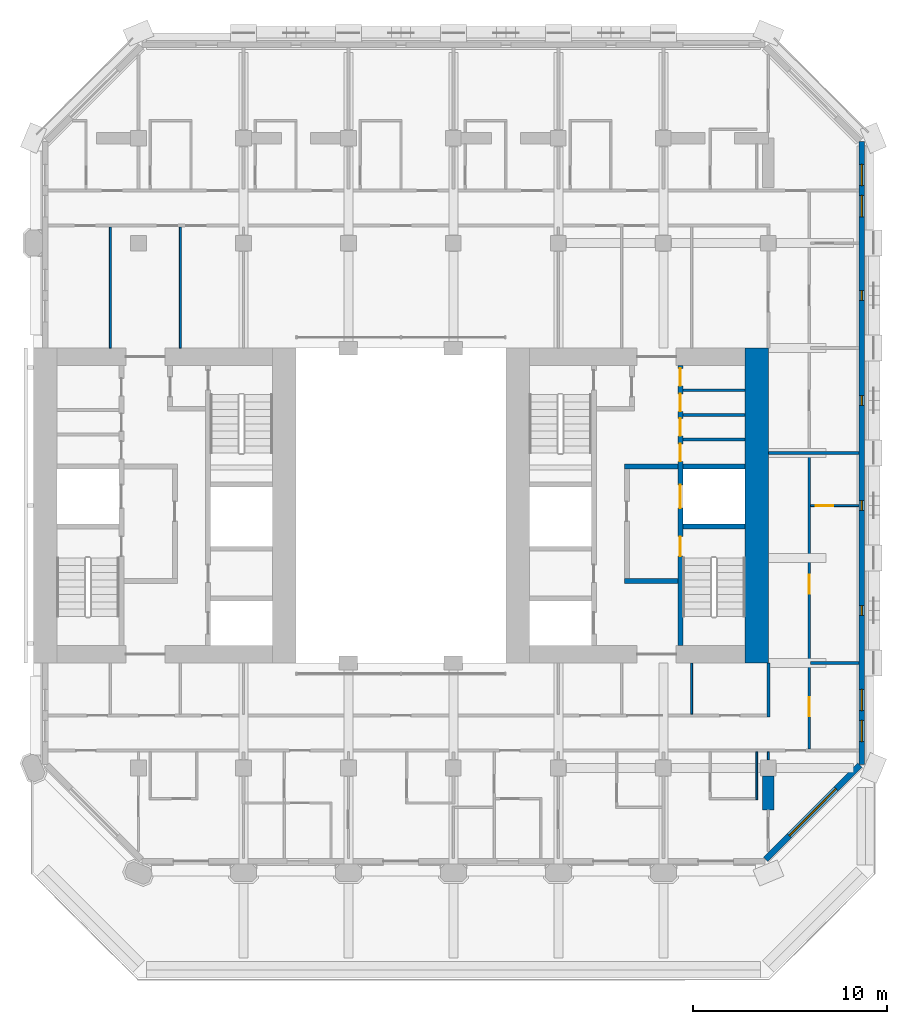
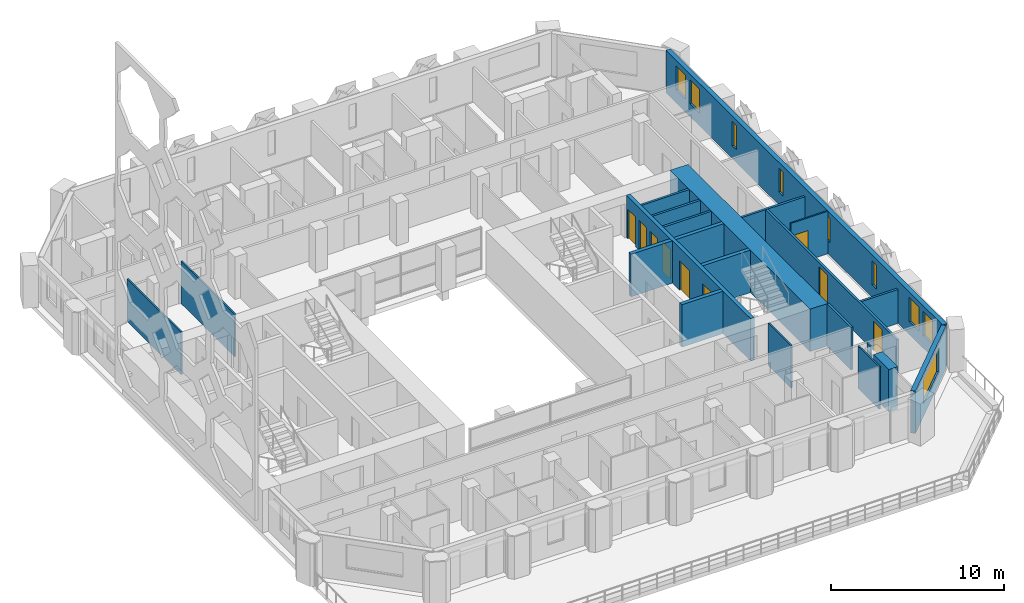
# One storey, part 11 of 17: 22 walls, 9 doors, 9 windows, 18 openings.
"""IFC4 building model written with IfcOpenShell, lengths in metres."""

from ifc_helpers import new_model, si_unit, direction, frame, frame_2d, origin, place, context, subcontext, project, spatial, rectangle, extrude, material, layer, layer_set, type_object, element, fill, save


model = new_model("IFC4")

# Units and contexts
model_context = context("Model", 3, precision=1e-05, world=origin(), true_north=direction((0.0, 1.0)))
body_context = subcontext(model_context, "Body", "Model", "MODEL_VIEW")
ifc_project = project(units=[si_unit("LENGTHUNIT", "METRE"), si_unit("AREAUNIT", "SQUARE_METRE"), si_unit("VOLUMEUNIT", "CUBIC_METRE"), si_unit("PLANEANGLEUNIT", "RADIAN"), si_unit("MASSUNIT", "GRAM", prefix="KILO")], contexts=[model_context])

# Site, building, storey
site_placement = place(None, origin())
site = spatial("IfcSite", under=ifc_project, at=site_placement, CompositionType="ELEMENT")
building_placement = place(site_placement, origin())
building = spatial("IfcBuilding", under=site, at=building_placement, Name="Tabaq Tower and Sports Hall", CompositionType="ELEMENT")
storey_placement = place(building_placement, frame((0.0, 0.0, 180.699951171875)))
storey = spatial("IfcBuildingStorey", under=building, at=storey_placement, Name="L43", CompositionType="ELEMENT", Elevation=180.699951171875)

# Walls
ifc_material_1 = material(Name="Blockwork", Category="masonry")
ifc_layer_1 = layer(ifc_material_1, 0.14990234375)
ifc_layer_set_1 = layer_set([ifc_layer_1], Name="Core room partition 150 Blockwork")
wall_type_1 = type_object("IfcWallType", Name="Core room partition 150 Blockwork", PredefinedType="PARTITIONING", material=ifc_layer_set_1)
for number, where, z_axis, x_axis, name in (
    (1, (38.800048828125, 27.694091796875, 0.0), (0.0, 0.0, 1.0), (1.0, 0.0, 0.0), "Core room partition E L43"),
    (2, (38.800048828125, 28.962890625, 0.0), (0.0, 0.0, 1.0), (1.0, 0.0, 0.0), "Core room partition E L43"),
    (3, (38.800048828125, 30.23193359375, 0.0), (0.0, 0.0, 1.0), (1.0, 0.0, 0.0), "Core room partition E L43"),
):
    element("IfcWall", number, at=place(storey_placement, frame(where, z_axis=z_axis, x_axis=x_axis)), inside=storey, type_object=wall_type_1, Name=name, PredefinedType="PARTITIONING", context=body_context, shape_type="SweptSolid", body=[
        extrude(rectangle(XDim=3.199951171875, YDim=0.14990234375, at=frame_2d((1.60009765625, 0.0))), origin(), (0.0, 0.0, 1.0), 3.0),
    ])
ifc_material_2 = material(Name="Concrete C50/60", Category="concrete")
ifc_layer_2 = layer(ifc_material_2, 1.199951171875)
ifc_layer_set_2 = layer_set([ifc_layer_2], Name="Core wall 1200 Concrete C50/60")
wall_type_2 = type_object("IfcWallType", Name="Core wall 1200 Concrete C50/60", PredefinedType="SOLIDWALL", material=ifc_layer_set_2)
wall_1_placement = place(storey_placement, frame((42.60009765625, 32.39990234375, 0.0), z_axis=(0.0, 0.0, 1.0), x_axis=(0.0, -1.0, 0.0)))
element("IfcWall", 4, at=wall_1_placement, inside=storey, type_object=wall_type_2, Name="Core wall E L43", PredefinedType="SOLIDWALL", context=body_context, shape_type="SweptSolid", body=[
    extrude(rectangle(XDim=16.199951171875, YDim=1.199951171875, at=frame_2d((8.10009765625, 0.0))), origin(), (0.0, 0.0, 1.0), 3.0),
])
ifc_material_3 = material(Name="Gypsum board on steel studs", Category="steel")
ifc_layer_3 = layer(ifc_material_3, 0.10009765625)
ifc_layer_set_3 = layer_set([ifc_layer_3], Name="Partition 100 Gypsum board")
wall_type_3 = type_object("IfcWallType", Name="Partition 100 Gypsum board", PredefinedType="PARTITIONING", material=ifc_layer_set_3)
for number, where, z_axis, x_axis, name in (
    (5, (12.949951171875, 32.39990234375, 0.0), (0.0, 0.0, 1.0), (0.0, 1.0, 0.0), "Partition wall L43"),
    (6, (9.35009765625, 38.625, 0.0), (0.0, 0.0, 1.0), (0.0, -1.0, 0.0), "Partition wall L43"),
):
    element("IfcWall", number, at=place(storey_placement, frame(where, z_axis=z_axis, x_axis=x_axis)), inside=storey, type_object=wall_type_3, Name=name, PredefinedType="PARTITIONING", context=body_context, shape_type="SweptSolid", body=[
        extrude(rectangle(XDim=6.22509765625, YDim=0.10009765625, at=frame_2d((3.112548828125, 0.0))), origin(), (0.0, 0.0, 1.0), 3.0),
    ])
wall_2_placement = place(storey_placement, frame((43.199951171875, 11.219970703125, 0.0), z_axis=(0.0, 0.0, 1.0), x_axis=(0.0, 1.0, 0.0)))
element("IfcWall", 7, at=wall_2_placement, inside=storey, type_object=wall_type_3, Name="Partition wall L43", PredefinedType="PARTITIONING", context=body_context, shape_type="SweptSolid", body=[
    extrude(rectangle(XDim=0.405029296875, YDim=0.10009765625, at=frame_2d((0.20263671875, 0.0))), origin(), (0.0, 0.0, 1.0), 3.0),
])
wall_3_placement = place(storey_placement, frame((42.60009765625, 11.625, 0.0), z_axis=(0.0, 0.0, 1.0), x_axis=(0.0, -1.0, 0.0)))
element("IfcWall", 8, at=wall_3_placement, inside=storey, type_object=wall_type_3, Name="Partition wall L43", PredefinedType="PARTITIONING", context=body_context, shape_type="SweptSolid", body=[
    extrude(rectangle(XDim=2.449951171875, YDim=0.10009765625, at=frame_2d((1.22509765625, 0.0))), origin(), (0.0, 0.0, 1.0), 3.0),
])

# Wall, opening, door
wall_4_placement = place(storey_placement, frame((47.84912109375, 24.300048828125, 0.0), z_axis=(0.0, 0.0, 1.0), x_axis=(-1.0, 0.0, 0.0)))
wall_4 = element("IfcWall", 9, at=wall_4_placement, inside=storey, type_object=wall_type_3, Name="Partition wall L43", PredefinedType="PARTITIONING", context=body_context, shape_type="SweptSolid", body=[
    extrude(rectangle(XDim=2.47412109375, YDim=0.10009765625, at=frame_2d((1.237060546875, 0.0))), origin(), (0.0, 0.0, 1.0), 3.0),
])
opening_1_placement = place(wall_4_placement, frame((1.323974609375, 0.0, 0.0)))
opening_1 = element("IfcOpeningElement", 10, at=opening_1_placement, cuts=wall_4, Name="Opening L43-025", PredefinedType="OPENING", context=body_context, shape_type="SweptSolid", body=[
    extrude(rectangle(XDim=0.89990234375, YDim=2.10009765625, at=frame_2d((0.449951171875, 1.050048828125))), frame((0.0, 0.050048828125, 0.0), z_axis=(0.0, -1.0, 0.0), x_axis=(1.0, 0.0, 0.0)), (0.0, 0.0, 1.0), 0.10009765625),
])
ifc_material_4 = material(Name="Timber leaf in steel frame", Category="steel")
door_type_1 = type_object("IfcDoorType", Name="Internal door 900 right hand", OperationType="SINGLE_SWING_RIGHT", PredefinedType="DOOR", material=ifc_material_4)
door_1_placement = place(opening_1_placement, origin())
door_1 = element("IfcDoor", 11, at=door_1_placement, inside=storey, type_object=door_type_1, Name="Internal door L43-025", OperationType="SINGLE_SWING_RIGHT", OverallHeight=2.10009765625, OverallWidth=0.89990234375, PredefinedType="DOOR", context=body_context, shape_type="SweptSolid", body=[
    extrude(rectangle(XDim=0.89990234375, YDim=2.10009765625, at=frame_2d((0.449951171875, 1.050048828125))), frame((0.0, 0.02490234375, 0.0), z_axis=(0.0, -1.0, 0.0), x_axis=(1.0, 0.0, 0.0)), (0.0, 0.0, 1.0), 0.050048828125),
])
fill(opening_1, door_1)

# Walls
wall_5_placement = place(storey_placement, frame((39.25, 13.574951171875, 0.0), z_axis=(0.0, 0.0, 1.0), x_axis=(0.0, 1.0, 0.0)))
element("IfcWall", 12, at=wall_5_placement, inside=storey, type_object=wall_type_3, Name="Partition wall L43", PredefinedType="PARTITIONING", context=body_context, shape_type="SweptSolid", body=[
    extrude(rectangle(XDim=2.625, YDim=0.10009765625, at=frame_2d((1.3125, 0.0))), origin(), (0.0, 0.0, 1.0), 3.0),
])
ifc_material_5 = material(Name="Concrete C50/60", Category="concrete")
ifc_layer_4 = layer(ifc_material_5, 0.60009765625)
ifc_layer_set_4 = layer_set([ifc_layer_4], Name="RC TRANSFER WALL 600 C50/60")
wall_type_4 = type_object("IfcWallType", Name="RC TRANSFER WALL 600 C50/60", PredefinedType="SHEAR", material=ifc_layer_set_4)
wall_6_placement = place(storey_placement, frame((43.199951171875, 8.64990234375, 0.0), z_axis=(0.0, 0.0, 1.0), x_axis=(0.0, 1.0, 0.0)))
element("IfcWall", 13, at=wall_6_placement, inside=storey, type_object=wall_type_4, Name="Transfer Wall L43 East 2", PredefinedType="SHEAR", context=body_context, shape_type="SweptSolid", body=[
    extrude(rectangle(XDim=1.75, YDim=0.60009765625, at=frame_2d((0.875, 0.0))), origin(), (0.0, 0.0, 1.0), 3.0),
])
ifc_material_6 = material(Name="Blockwork", Category="masonry")
ifc_layer_5 = layer(ifc_material_6, 0.14990234375)
ifc_layer_set_5 = layer_set([ifc_layer_5], Name="Separating wall 150 Blockwork")
wall_type_5 = type_object("IfcWallType", Name="Separating wall 150 Blockwork", PredefinedType="PARTITIONING", material=ifc_layer_set_5)
wall_7_placement = place(storey_placement, frame((43.199951171875, 27.0, 0.0), z_axis=(0.0, 0.0, 1.0), x_axis=(1.0, 0.0, 0.0)))
element("IfcWall", 14, at=wall_7_placement, inside=storey, type_object=wall_type_5, Name="Separating wall L43", PredefinedType="PARTITIONING", context=body_context, shape_type="SweptSolid", body=[
    extrude(rectangle(XDim=4.649169921875, YDim=0.14990234375, at=frame_2d((2.32470703125, 0.0))), origin(), (0.0, 0.0, 1.0), 2.400146484375),
])
wall_8_placement = place(storey_placement, frame((47.84912109375, 16.199951171875, 0.0), z_axis=(0.0, 0.0, 1.0), x_axis=(-1.0, 0.0, 0.0)))
element("IfcWall", 15, at=wall_8_placement, inside=storey, type_object=wall_type_5, Name="Separating wall L43", PredefinedType="PARTITIONING", context=body_context, shape_type="SweptSolid", body=[
    extrude(rectangle(XDim=2.47412109375, YDim=0.14990234375, at=frame_2d((1.237060546875, 0.0))), origin(), (0.0, 0.0, 1.0), 2.400146484375),
])

# Wall, openings, doors
wall_9_placement = place(storey_placement, frame((45.300048828125, 26.925048828125, 0.0), z_axis=(0.0, 0.0, 1.0), x_axis=(0.0, -1.0, 0.0)))
wall_9 = element("IfcWall", 16, at=wall_9_placement, inside=storey, type_object=wall_type_5, Name="Separating wall L43", PredefinedType="PARTITIONING", context=body_context, shape_type="SweptSolid", body=[
    extrude(rectangle(XDim=15.150146484375, YDim=0.14990234375, at=frame_2d((7.5751953125, 0.0))), origin(), (0.0, 0.0, 1.0), 2.400146484375),
])
opening_2_placement = place(wall_9_placement, frame((12.47509765625, 0.0, 0.0)))
opening_2 = element("IfcOpeningElement", 17, at=opening_2_placement, cuts=wall_9, Name="Opening L43-015", PredefinedType="OPENING", context=body_context, shape_type="SweptSolid", body=[
    extrude(rectangle(XDim=1.0, YDim=2.10009765625, at=frame_2d((0.5, 1.050048828125))), frame((0.0, 0.074951171875, 0.0), z_axis=(0.0, -1.0, 0.0), x_axis=(1.0, 0.0, 0.0)), (0.0, 0.0, 1.0), 0.14990234375),
])
opening_3_placement = place(wall_9_placement, frame((6.175048828125, 0.0, 0.0)))
opening_3 = element("IfcOpeningElement", 18, at=opening_3_placement, cuts=wall_9, Name="Opening L43-045", PredefinedType="OPENING", context=body_context, shape_type="SweptSolid", body=[
    extrude(rectangle(XDim=1.0, YDim=2.10009765625, at=frame_2d((0.5, 1.050048828125))), frame((0.0, 0.074951171875, 0.0), z_axis=(0.0, -1.0, 0.0), x_axis=(1.0, 0.0, 0.0)), (0.0, 0.0, 1.0), 0.14990234375),
])
ifc_material_7 = material(Name="Steel fire door", Category="steel")
door_type_2 = type_object("IfcDoorType", Name="Entrance door 1000 left hand", OperationType="SINGLE_SWING_LEFT", PredefinedType="DOOR", material=ifc_material_7)
door_2_placement = place(opening_3_placement, origin())
door_2 = element("IfcDoor", 19, at=door_2_placement, inside=storey, type_object=door_type_2, Name="Entrance door L43-045", OperationType="SINGLE_SWING_LEFT", OverallHeight=2.10009765625, OverallWidth=1.0, PredefinedType="DOOR", context=body_context, shape_type="SweptSolid", body=[
    extrude(rectangle(XDim=1.0, YDim=2.10009765625, at=frame_2d((0.5, 1.050048828125))), frame((0.0, 0.02490234375, 0.0), z_axis=(0.0, -1.0, 0.0), x_axis=(1.0, 0.0, 0.0)), (0.0, 0.0, 1.0), 0.050048828125),
])
fill(opening_3, door_2)
ifc_material_8 = material(Name="Timber leaf in steel frame", Category="steel")
door_type_3 = type_object("IfcDoorType", Name="Internal door 1000 left hand", OperationType="SINGLE_SWING_LEFT", PredefinedType="DOOR", material=ifc_material_8)
door_3_placement = place(opening_2_placement, origin())
door_3 = element("IfcDoor", 20, at=door_3_placement, inside=storey, type_object=door_type_3, Name="Internal door L43-015", OperationType="SINGLE_SWING_LEFT", OverallHeight=2.10009765625, OverallWidth=1.0, PredefinedType="DOOR", context=body_context, shape_type="SweptSolid", body=[
    extrude(rectangle(XDim=1.0, YDim=2.10009765625, at=frame_2d((0.5, 1.050048828125))), frame((0.0, 0.02490234375, 0.0), z_axis=(0.0, -1.0, 0.0), x_axis=(1.0, 0.0, 0.0)), (0.0, 0.0, 1.0), 0.050048828125),
])
fill(opening_2, door_3)

# Wall
wall_10_placement = place(storey_placement, frame((43.199951171875, 16.199951171875, 0.0), z_axis=(0.0, 0.0, 1.0), x_axis=(0.0, -1.0, 0.0)))
element("IfcWall", 21, at=wall_10_placement, inside=storey, type_object=wall_type_5, Name="Separating wall L43", PredefinedType="PARTITIONING", context=body_context, shape_type="SweptSolid", body=[
    extrude(rectangle(XDim=2.77490234375, YDim=0.14990234375, at=frame_2d((1.387451171875, 0.0))), origin(), (0.0, 0.0, 1.0), 3.0),
])

# Wall, openings, doors
ifc_material_9 = material(Name="Concrete C40/50", Category="concrete")
ifc_layer_6 = layer(ifc_material_9, 0.25)
ifc_layer_set_6 = layer_set([ifc_layer_6], Name="Shaft and stair wall 250 Concrete C40/50")
wall_type_6 = type_object("IfcWallType", Name="Shaft and stair wall 250 Concrete C40/50", PredefinedType="SOLIDWALL", material=ifc_layer_set_6)
wall_11_placement = place(storey_placement, frame((38.675048828125, 17.10009765625, 0.0), z_axis=(0.0, 0.0, 1.0), x_axis=(0.0, 1.0, 0.0)))
wall_11 = element("IfcWall", 22, at=wall_11_placement, inside=storey, type_object=wall_type_6, Name="Shaft wall E L43", PredefinedType="SOLIDWALL", context=body_context, shape_type="SweptSolid", body=[
    extrude(rectangle(XDim=14.39990234375, YDim=0.25, at=frame_2d((7.199951171875, 0.0))), origin(), (0.0, 0.0, 1.0), 3.0),
])
opening_4_placement = place(wall_11_placement, frame((4.60009765625, 0.0, 0.0)))
opening_4 = element("IfcOpeningElement", 23, at=opening_4_placement, cuts=wall_11, Name="Opening SD-EL43-03", PredefinedType="OPENING", context=body_context, shape_type="SweptSolid", body=[
    extrude(rectangle(XDim=1.0, YDim=2.10009765625, at=frame_2d((0.5, 1.050048828125))), frame((0.0, 0.125, 0.0), z_axis=(0.0, -1.0, 0.0), x_axis=(1.0, 0.0, 0.0)), (0.0, 0.0, 1.0), 0.25),
])
opening_5_placement = place(wall_11_placement, frame((7.0625, 0.0, 0.0)))
opening_5 = element("IfcOpeningElement", 24, at=opening_5_placement, cuts=wall_11, Name="Opening LD-FF2-L43", PredefinedType="OPENING", context=body_context, shape_type="SweptSolid", body=[
    extrude(rectangle(XDim=1.199951171875, YDim=2.10009765625, at=frame_2d((0.60009765625, 1.050048828125))), frame((0.0, 0.125, 0.0), z_axis=(0.0, -1.0, 0.0), x_axis=(1.0, 0.0, 0.0)), (0.0, 0.0, 1.0), 0.25),
])
opening_6_placement = place(wall_11_placement, frame((9.471923828125, 0.0, 0.0)))
opening_6 = element("IfcOpeningElement", 25, at=opening_6_placement, cuts=wall_11, Name="Opening RD-EL43-09", PredefinedType="OPENING", context=body_context, shape_type="SweptSolid", body=[
    extrude(rectangle(XDim=0.89990234375, YDim=2.10009765625, at=frame_2d((0.449951171875, 1.050048828125))), frame((0.0, 0.125, 0.0), z_axis=(0.0, -1.0, 0.0), x_axis=(1.0, 0.0, 0.0)), (0.0, 0.0, 1.0), 0.25),
])
opening_7_placement = place(wall_11_placement, frame((10.778564453125, 0.0, 0.0)))
opening_7 = element("IfcOpeningElement", 26, at=opening_7_placement, cuts=wall_11, Name="Opening RD-EL43-10", PredefinedType="OPENING", context=body_context, shape_type="SweptSolid", body=[
    extrude(rectangle(XDim=0.89990234375, YDim=2.10009765625, at=frame_2d((0.449951171875, 1.050048828125))), frame((0.0, 0.125, 0.0), z_axis=(0.0, -1.0, 0.0), x_axis=(1.0, 0.0, 0.0)), (0.0, 0.0, 1.0), 0.25),
])
opening_8_placement = place(wall_11_placement, frame((12.047607421875, 0.0, 0.0)))
opening_8 = element("IfcOpeningElement", 27, at=opening_8_placement, cuts=wall_11, Name="Opening RD-EL43-11", PredefinedType="OPENING", context=body_context, shape_type="SweptSolid", body=[
    extrude(rectangle(XDim=0.89990234375, YDim=2.10009765625, at=frame_2d((0.449951171875, 1.050048828125))), frame((0.0, 0.125, 0.0), z_axis=(0.0, -1.0, 0.0), x_axis=(1.0, 0.0, 0.0)), (0.0, 0.0, 1.0), 0.25),
])
opening_9_placement = place(wall_11_placement, frame((13.353515625, 0.0, 0.0)))
opening_9 = element("IfcOpeningElement", 28, at=opening_9_placement, cuts=wall_11, Name="Opening RD-EL43-12", PredefinedType="OPENING", context=body_context, shape_type="SweptSolid", body=[
    extrude(rectangle(XDim=0.89990234375, YDim=2.10009765625, at=frame_2d((0.449951171875, 1.050048828125))), frame((0.0, 0.125, 0.0), z_axis=(0.0, -1.0, 0.0), x_axis=(1.0, 0.0, 0.0)), (0.0, 0.0, 1.0), 0.25),
])
ifc_material_10 = material(Name="Steel fire door", Category="steel")
door_type_4 = type_object("IfcDoorType", Name="Core room door 900", OperationType="SINGLE_SWING_LEFT", PredefinedType="DOOR", material=ifc_material_10)
door_4_placement = place(opening_6_placement, origin())
door_4 = element("IfcDoor", 29, at=door_4_placement, inside=storey, type_object=door_type_4, Name="Door Cleaner's Store E L43", OperationType="SINGLE_SWING_LEFT", OverallHeight=2.10009765625, OverallWidth=0.89990234375, PredefinedType="DOOR", context=body_context, shape_type="SweptSolid", body=[
    extrude(rectangle(XDim=0.89990234375, YDim=2.10009765625, at=frame_2d((0.449951171875, 1.050048828125))), frame((0.0, 0.02490234375, 0.0), z_axis=(0.0, -1.0, 0.0), x_axis=(1.0, 0.0, 0.0)), (0.0, 0.0, 1.0), 0.050048828125),
])
fill(opening_6, door_4)
door_5_placement = place(opening_7_placement, origin())
door_5 = element("IfcDoor", 30, at=door_5_placement, inside=storey, type_object=door_type_4, Name="Door Gents WC E L43", OperationType="SINGLE_SWING_LEFT", OverallHeight=2.10009765625, OverallWidth=0.89990234375, PredefinedType="DOOR", context=body_context, shape_type="SweptSolid", body=[
    extrude(rectangle(XDim=0.89990234375, YDim=2.10009765625, at=frame_2d((0.449951171875, 1.050048828125))), frame((0.0, 0.02490234375, 0.0), z_axis=(0.0, -1.0, 0.0), x_axis=(1.0, 0.0, 0.0)), (0.0, 0.0, 1.0), 0.050048828125),
])
fill(opening_7, door_5)
door_6_placement = place(opening_8_placement, origin())
door_6 = element("IfcDoor", 31, at=door_6_placement, inside=storey, type_object=door_type_4, Name="Door Ladies WC E L43", OperationType="SINGLE_SWING_LEFT", OverallHeight=2.10009765625, OverallWidth=0.89990234375, PredefinedType="DOOR", context=body_context, shape_type="SweptSolid", body=[
    extrude(rectangle(XDim=0.89990234375, YDim=2.10009765625, at=frame_2d((0.449951171875, 1.050048828125))), frame((0.0, 0.02490234375, 0.0), z_axis=(0.0, -1.0, 0.0), x_axis=(1.0, 0.0, 0.0)), (0.0, 0.0, 1.0), 0.050048828125),
])
fill(opening_8, door_6)
door_7_placement = place(opening_9_placement, origin())
door_7 = element("IfcDoor", 32, at=door_7_placement, inside=storey, type_object=door_type_4, Name="Door Accessible WC E L43", OperationType="SINGLE_SWING_LEFT", OverallHeight=2.10009765625, OverallWidth=0.89990234375, PredefinedType="DOOR", context=body_context, shape_type="SweptSolid", body=[
    extrude(rectangle(XDim=0.89990234375, YDim=2.10009765625, at=frame_2d((0.449951171875, 1.050048828125))), frame((0.0, 0.02490234375, 0.0), z_axis=(0.0, -1.0, 0.0), x_axis=(1.0, 0.0, 0.0)), (0.0, 0.0, 1.0), 0.050048828125),
])
fill(opening_9, door_7)
ifc_material_11 = material(Name="Stainless steel", Category="steel")
door_type_5 = type_object("IfcDoorType", Name="Lift landing door 1200", OperationType="DOUBLE_DOOR_SLIDING", PredefinedType="DOOR", material=ifc_material_11)
door_8_placement = place(opening_5_placement, origin())
door_8 = element("IfcDoor", 33, at=door_8_placement, inside=storey, type_object=door_type_5, Name="Lift landing door FF2 E L43", OperationType="DOUBLE_DOOR_SLIDING", OverallHeight=2.10009765625, OverallWidth=1.199951171875, PredefinedType="DOOR", context=body_context, shape_type="SweptSolid", body=[
    extrude(rectangle(XDim=1.199951171875, YDim=2.10009765625, at=frame_2d((0.60009765625, 1.050048828125))), frame((0.0, 0.02490234375, 0.0), z_axis=(0.0, -1.0, 0.0), x_axis=(1.0, 0.0, 0.0)), (0.0, 0.0, 1.0), 0.050048828125),
])
fill(opening_5, door_8)
ifc_material_12 = material(Name="Steel fire door", Category="steel")
door_type_6 = type_object("IfcDoorType", Name="Stair door 1000", OperationType="SINGLE_SWING_LEFT", PredefinedType="DOOR", material=ifc_material_12)
door_9_placement = place(opening_4_placement, origin())
door_9 = element("IfcDoor", 34, at=door_9_placement, inside=storey, type_object=door_type_6, Name="Stair door ST3 E L43", OperationType="SINGLE_SWING_LEFT", OverallHeight=2.10009765625, OverallWidth=1.0, PredefinedType="DOOR", context=body_context, shape_type="SweptSolid", body=[
    extrude(rectangle(XDim=1.0, YDim=2.10009765625, at=frame_2d((0.5, 1.050048828125))), frame((0.0, 0.02490234375, 0.0), z_axis=(0.0, -1.0, 0.0), x_axis=(1.0, 0.0, 0.0)), (0.0, 0.0, 1.0), 0.050048828125),
])
fill(opening_4, door_9)

# Walls
for number, where, z_axis, x_axis, name in (
    (35, (38.800048828125, 23.22509765625, 0.0), (0.0, 0.0, 1.0), (1.0, 0.0, 0.0), "Stair enclosure wall E L43"),
    (36, (38.800048828125, 26.300048828125, 0.0), (0.0, 0.0, 1.0), (1.0, 0.0, 0.0), "Shaft wall E L43"),
):
    element("IfcWall", number, at=place(storey_placement, frame(where, z_axis=z_axis, x_axis=x_axis)), inside=storey, type_object=wall_type_6, Name=name, PredefinedType="SOLIDWALL", context=body_context, shape_type="SweptSolid", body=[
        extrude(rectangle(XDim=3.199951171875, YDim=0.25, at=frame_2d((1.60009765625, 0.0))), origin(), (0.0, 0.0, 1.0), 3.0),
    ])
for number, where, z_axis, x_axis, name in (
    (37, (35.800048828125, 26.300048828125, 0.0), (0.0, 0.0, 1.0), (1.0, 0.0, 0.0), "Fire-fighting lobby wall E L43"),
    (38, (35.800048828125, 20.425048828125, 0.0), (0.0, 0.0, 1.0), (1.0, 0.0, 0.0), "Fire-fighting lobby wall E L43"),
):
    element("IfcWall", number, at=place(storey_placement, frame(where, z_axis=z_axis, x_axis=x_axis)), inside=storey, type_object=wall_type_6, Name=name, PredefinedType="SOLIDWALL", context=body_context, shape_type="SweptSolid", body=[
        extrude(rectangle(XDim=2.75, YDim=0.25, at=frame_2d((1.375, 0.0))), origin(), (0.0, 0.0, 1.0), 3.0),
    ])

# Wall, opening, window
ifc_material_13 = material(Name="White precast concrete C60/75", Category="concrete")
ifc_layer_7 = layer(ifc_material_13, 0.300048828125)
ifc_layer_set_7 = layer_set([ifc_layer_7], Name="White precast concrete C60/75 external wall 300")
wall_type_7 = type_object("IfcWallType", Name="White precast concrete C60/75 external wall 300", PredefinedType="SOLIDWALL", material=ifc_layer_set_7)
wall_12_placement = place(storey_placement, frame((43.050537109375, 6.098876953125, 0.0), z_axis=(0.0, 0.0, 1.0), x_axis=(0.707106781187, 0.707106781187, 0.0)))
wall_12 = element("IfcWall", 39, at=wall_12_placement, inside=storey, type_object=wall_type_7, Name="External Wall L43 SE", PredefinedType="SOLIDWALL", context=body_context, shape_type="SweptSolid", body=[
    extrude(rectangle(XDim=6.85986328125, YDim=0.300048828125, at=frame_2d((3.429931640625, 0.0))), origin(), (0.0, 0.0, 1.0), 3.0),
])
opening_10_placement = place(wall_12_placement, frame((1.729736328125, 0.0, 0.89990234375)))
opening_10 = element("IfcOpeningElement", 40, at=opening_10_placement, cuts=wall_12, Name="Opening W1A", PredefinedType="OPENING", context=body_context, shape_type="SweptSolid", body=[
    extrude(rectangle(XDim=3.39990234375, YDim=1.699951171875, at=frame_2d((1.699951171875, 0.85009765625))), frame((0.0, 0.16015625, 0.0), z_axis=(0.0, -1.0, 0.0), x_axis=(1.0, 0.0, 0.0)), (0.0, 0.0, 1.0), 0.320068359375),
])
ifc_material_14 = material(Name="Aluminium framed clear glazing", Category="aluminium")
window_type_1 = type_object("IfcWindowType", Name="Window W1A", PartitioningType="SINGLE_PANEL", PredefinedType="WINDOW", material=ifc_material_14)
window_1_placement = place(opening_10_placement, origin())
window_1 = element("IfcWindow", 41, at=window_1_placement, inside=storey, type_object=window_type_1, Name="Window W1A L43", OverallHeight=1.699951171875, OverallWidth=3.39990234375, PartitioningType="SINGLE_PANEL", PredefinedType="WINDOW", context=body_context, shape_type="SweptSolid", body=[
    extrude(rectangle(XDim=3.39990234375, YDim=1.699951171875, at=frame_2d((1.699951171875, 0.85009765625))), frame((0.0, 0.030029296875, 0.0), z_axis=(0.0, -1.0, 0.0), x_axis=(1.0, 0.0, 0.0)), (0.0, 0.0, 1.0), 0.06005859375),
])
fill(opening_10, window_1)

# Wall, openings, windows
wall_13_placement = place(storey_placement, frame((48.0, 10.986328125, 0.0), z_axis=(0.0, 0.0, 1.0), x_axis=(0.0, 1.0, 0.0)))
wall_13 = element("IfcWall", 42, at=wall_13_placement, inside=storey, type_object=wall_type_7, Name="External Wall L43 E", PredefinedType="SOLIDWALL", context=body_context, shape_type="SweptSolid", body=[
    extrude(rectangle(XDim=32.02734375, YDim=0.300048828125, at=frame_2d((16.013671875, 0.0))), origin(), (0.0, 0.0, 1.0), 3.0),
])
opening_11_placement = place(wall_13_placement, frame((1.16357421875, 0.0, 0.89990234375)))
opening_11 = element("IfcOpeningElement", 43, at=opening_11_placement, cuts=wall_13, Name="Opening W1B", PredefinedType="OPENING", context=body_context, shape_type="SweptSolid", body=[
    extrude(rectangle(XDim=1.10009765625, YDim=1.699951171875, at=frame_2d((0.550048828125, 0.85009765625))), frame((0.0, 0.16015625, 0.0), z_axis=(0.0, -1.0, 0.0), x_axis=(1.0, 0.0, 0.0)), (0.0, 0.0, 1.0), 0.320068359375),
])
opening_12_placement = place(wall_13_placement, frame((2.763671875, 0.0, 0.89990234375)))
opening_12 = element("IfcOpeningElement", 44, at=opening_12_placement, cuts=wall_13, Name="Opening W1B", PredefinedType="OPENING", context=body_context, shape_type="SweptSolid", body=[
    extrude(rectangle(XDim=1.10009765625, YDim=1.699951171875, at=frame_2d((0.550048828125, 0.85009765625))), frame((0.0, 0.16015625, 0.0), z_axis=(0.0, -1.0, 0.0), x_axis=(1.0, 0.0, 0.0)), (0.0, 0.0, 1.0), 0.320068359375),
])
opening_13_placement = place(wall_13_placement, frame((7.66357421875, 0.0, 0.89990234375)))
opening_13 = element("IfcOpeningElement", 45, at=opening_13_placement, cuts=wall_13, Name="Opening W1E", PredefinedType="OPENING", context=body_context, shape_type="SweptSolid", body=[
    extrude(rectangle(XDim=0.5, YDim=1.699951171875, at=frame_2d((0.25, 0.85009765625))), frame((0.0, 0.16015625, 0.0), z_axis=(0.0, -1.0, 0.0), x_axis=(1.0, 0.0, 0.0)), (0.0, 0.0, 1.0), 0.320068359375),
])
opening_14_placement = place(wall_13_placement, frame((13.063720703125, 0.0, 0.89990234375)))
opening_14 = element("IfcOpeningElement", 46, at=opening_14_placement, cuts=wall_13, Name="Opening W1E", PredefinedType="OPENING", context=body_context, shape_type="SweptSolid", body=[
    extrude(rectangle(XDim=0.5, YDim=1.699951171875, at=frame_2d((0.25, 0.85009765625))), frame((0.0, 0.16015625, 0.0), z_axis=(0.0, -1.0, 0.0), x_axis=(1.0, 0.0, 0.0)), (0.0, 0.0, 1.0), 0.320068359375),
])
opening_15_placement = place(wall_13_placement, frame((18.463623046875, 0.0, 0.89990234375)))
opening_15 = element("IfcOpeningElement", 47, at=opening_15_placement, cuts=wall_13, Name="Opening W1E", PredefinedType="OPENING", context=body_context, shape_type="SweptSolid", body=[
    extrude(rectangle(XDim=0.5, YDim=1.699951171875, at=frame_2d((0.25, 0.85009765625))), frame((0.0, 0.16015625, 0.0), z_axis=(0.0, -1.0, 0.0), x_axis=(1.0, 0.0, 0.0)), (0.0, 0.0, 1.0), 0.320068359375),
])
opening_16_placement = place(wall_13_placement, frame((23.863525390625, 0.0, 0.89990234375)))
opening_16 = element("IfcOpeningElement", 48, at=opening_16_placement, cuts=wall_13, Name="Opening W1E", PredefinedType="OPENING", context=body_context, shape_type="SweptSolid", body=[
    extrude(rectangle(XDim=0.5, YDim=1.699951171875, at=frame_2d((0.25, 0.85009765625))), frame((0.0, 0.16015625, 0.0), z_axis=(0.0, -1.0, 0.0), x_axis=(1.0, 0.0, 0.0)), (0.0, 0.0, 1.0), 0.320068359375),
])
opening_17_placement = place(wall_13_placement, frame((28.16357421875, 0.0, 0.89990234375)))
opening_17 = element("IfcOpeningElement", 49, at=opening_17_placement, cuts=wall_13, Name="Opening W1B", PredefinedType="OPENING", context=body_context, shape_type="SweptSolid", body=[
    extrude(rectangle(XDim=1.10009765625, YDim=1.699951171875, at=frame_2d((0.550048828125, 0.85009765625))), frame((0.0, 0.16015625, 0.0), z_axis=(0.0, -1.0, 0.0), x_axis=(1.0, 0.0, 0.0)), (0.0, 0.0, 1.0), 0.320068359375),
])
opening_18_placement = place(wall_13_placement, frame((29.763671875, 0.0, 0.89990234375)))
opening_18 = element("IfcOpeningElement", 50, at=opening_18_placement, cuts=wall_13, Name="Opening W1B", PredefinedType="OPENING", context=body_context, shape_type="SweptSolid", body=[
    extrude(rectangle(XDim=1.10009765625, YDim=1.699951171875, at=frame_2d((0.550048828125, 0.85009765625))), frame((0.0, 0.16015625, 0.0), z_axis=(0.0, -1.0, 0.0), x_axis=(1.0, 0.0, 0.0)), (0.0, 0.0, 1.0), 0.320068359375),
])
ifc_material_15 = material(Name="Aluminium framed clear glazing", Category="aluminium")
window_type_2 = type_object("IfcWindowType", Name="Window W1B", PartitioningType="SINGLE_PANEL", PredefinedType="WINDOW", material=ifc_material_15)
window_2_placement = place(opening_11_placement, origin())
window_2 = element("IfcWindow", 51, at=window_2_placement, inside=storey, type_object=window_type_2, Name="Window W1B L43", OverallHeight=1.699951171875, OverallWidth=1.10009765625, PartitioningType="SINGLE_PANEL", PredefinedType="WINDOW", context=body_context, shape_type="SweptSolid", body=[
    extrude(rectangle(XDim=1.10009765625, YDim=1.699951171875, at=frame_2d((0.550048828125, 0.85009765625))), frame((0.0, 0.030029296875, 0.0), z_axis=(0.0, -1.0, 0.0), x_axis=(1.0, 0.0, 0.0)), (0.0, 0.0, 1.0), 0.06005859375),
])
fill(opening_11, window_2)
window_3_placement = place(opening_12_placement, origin())
window_3 = element("IfcWindow", 52, at=window_3_placement, inside=storey, type_object=window_type_2, Name="Window W1B L43", OverallHeight=1.699951171875, OverallWidth=1.10009765625, PartitioningType="SINGLE_PANEL", PredefinedType="WINDOW", context=body_context, shape_type="SweptSolid", body=[
    extrude(rectangle(XDim=1.10009765625, YDim=1.699951171875, at=frame_2d((0.550048828125, 0.85009765625))), frame((0.0, 0.030029296875, 0.0), z_axis=(0.0, -1.0, 0.0), x_axis=(1.0, 0.0, 0.0)), (0.0, 0.0, 1.0), 0.06005859375),
])
fill(opening_12, window_3)
window_4_placement = place(opening_17_placement, origin())
window_4 = element("IfcWindow", 53, at=window_4_placement, inside=storey, type_object=window_type_2, Name="Window W1B L43", OverallHeight=1.699951171875, OverallWidth=1.10009765625, PartitioningType="SINGLE_PANEL", PredefinedType="WINDOW", context=body_context, shape_type="SweptSolid", body=[
    extrude(rectangle(XDim=1.10009765625, YDim=1.699951171875, at=frame_2d((0.550048828125, 0.85009765625))), frame((0.0, 0.030029296875, 0.0), z_axis=(0.0, -1.0, 0.0), x_axis=(1.0, 0.0, 0.0)), (0.0, 0.0, 1.0), 0.06005859375),
])
fill(opening_17, window_4)
window_5_placement = place(opening_18_placement, origin())
window_5 = element("IfcWindow", 54, at=window_5_placement, inside=storey, type_object=window_type_2, Name="Window W1B L43", OverallHeight=1.699951171875, OverallWidth=1.10009765625, PartitioningType="SINGLE_PANEL", PredefinedType="WINDOW", context=body_context, shape_type="SweptSolid", body=[
    extrude(rectangle(XDim=1.10009765625, YDim=1.699951171875, at=frame_2d((0.550048828125, 0.85009765625))), frame((0.0, 0.030029296875, 0.0), z_axis=(0.0, -1.0, 0.0), x_axis=(1.0, 0.0, 0.0)), (0.0, 0.0, 1.0), 0.06005859375),
])
fill(opening_18, window_5)
ifc_material_16 = material(Name="Aluminium framed clear glazing", Category="aluminium")
window_type_3 = type_object("IfcWindowType", Name="Window W1E", PartitioningType="SINGLE_PANEL", PredefinedType="WINDOW", material=ifc_material_16)
window_6_placement = place(opening_13_placement, origin())
window_6 = element("IfcWindow", 55, at=window_6_placement, inside=storey, type_object=window_type_3, Name="Window W1E L43", OverallHeight=1.699951171875, OverallWidth=0.5, PartitioningType="SINGLE_PANEL", PredefinedType="WINDOW", context=body_context, shape_type="SweptSolid", body=[
    extrude(rectangle(XDim=0.5, YDim=1.699951171875, at=frame_2d((0.25, 0.85009765625))), frame((0.0, 0.030029296875, 0.0), z_axis=(0.0, -1.0, 0.0), x_axis=(1.0, 0.0, 0.0)), (0.0, 0.0, 1.0), 0.06005859375),
])
fill(opening_13, window_6)
window_7_placement = place(opening_14_placement, origin())
window_7 = element("IfcWindow", 56, at=window_7_placement, inside=storey, type_object=window_type_3, Name="Window W1E L43", OverallHeight=1.699951171875, OverallWidth=0.5, PartitioningType="SINGLE_PANEL", PredefinedType="WINDOW", context=body_context, shape_type="SweptSolid", body=[
    extrude(rectangle(XDim=0.5, YDim=1.699951171875, at=frame_2d((0.25, 0.85009765625))), frame((0.0, 0.030029296875, 0.0), z_axis=(0.0, -1.0, 0.0), x_axis=(1.0, 0.0, 0.0)), (0.0, 0.0, 1.0), 0.06005859375),
])
fill(opening_14, window_7)
window_8_placement = place(opening_15_placement, origin())
window_8 = element("IfcWindow", 57, at=window_8_placement, inside=storey, type_object=window_type_3, Name="Window W1E L43", OverallHeight=1.699951171875, OverallWidth=0.5, PartitioningType="SINGLE_PANEL", PredefinedType="WINDOW", context=body_context, shape_type="SweptSolid", body=[
    extrude(rectangle(XDim=0.5, YDim=1.699951171875, at=frame_2d((0.25, 0.85009765625))), frame((0.0, 0.030029296875, 0.0), z_axis=(0.0, -1.0, 0.0), x_axis=(1.0, 0.0, 0.0)), (0.0, 0.0, 1.0), 0.06005859375),
])
fill(opening_15, window_8)
window_9_placement = place(opening_16_placement, origin())
window_9 = element("IfcWindow", 58, at=window_9_placement, inside=storey, type_object=window_type_3, Name="Window W1E L43", OverallHeight=1.699951171875, OverallWidth=0.5, PartitioningType="SINGLE_PANEL", PredefinedType="WINDOW", context=body_context, shape_type="SweptSolid", body=[
    extrude(rectangle(XDim=0.5, YDim=1.699951171875, at=frame_2d((0.25, 0.85009765625))), frame((0.0, 0.030029296875, 0.0), z_axis=(0.0, -1.0, 0.0), x_axis=(1.0, 0.0, 0.0)), (0.0, 0.0, 1.0), 0.06005859375),
])
fill(opening_16, window_9)

save(model, "model.ifc")
